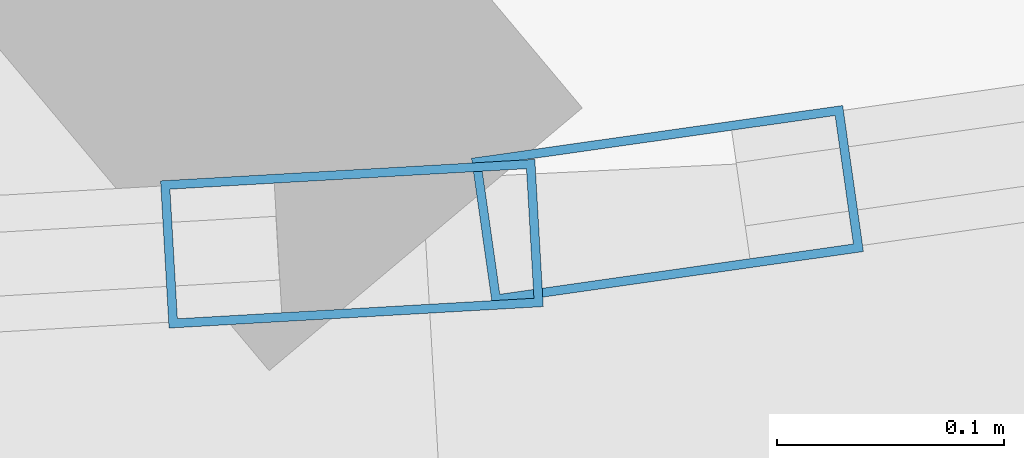
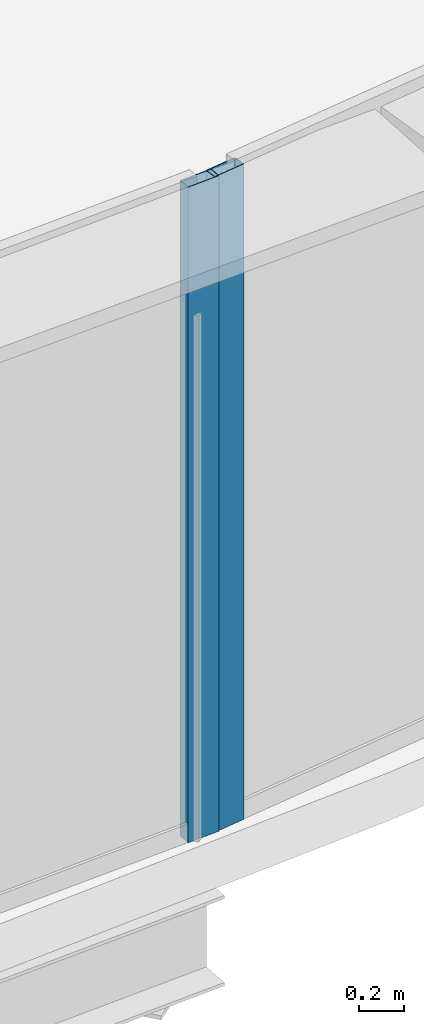
# One storey, part 12 of 39: 2 members, 2 elements without a shape of their own.
"""IFC4 building model written with IfcOpenShell, lengths in metres."""

from ifc_helpers import new_model, si_unit, direction, frame, origin, origin_2d, place, context, subcontext, project, spatial, hollow_rectangle, extrude, source, transform, mapped, material, layer, layer_set, material_profile, profile_set, type_object, element, aggregate, save


model = new_model("IFC4")

# Units and contexts
model_context = context("Model", 3, precision=1e-05, world=origin(), true_north=direction((0.0, 1.0)))
body_context = subcontext(model_context, "Body", "Model", "MODEL_VIEW")
ifc_project = project(units=[si_unit("LENGTHUNIT", "METRE"), si_unit("AREAUNIT", "SQUARE_METRE"), si_unit("VOLUMEUNIT", "CUBIC_METRE"), si_unit("PLANEANGLEUNIT", "RADIAN"), si_unit("MASSUNIT", "GRAM", prefix="KILO"), si_unit("THERMODYNAMICTEMPERATUREUNIT", "KELVIN"), si_unit("POWERUNIT", "WATT")], contexts=[model_context])

# Site, building, storey
site_placement = place(None, origin())
site = spatial("IfcSite", under=ifc_project, at=site_placement, CompositionType="ELEMENT")
building_placement = place(site_placement, origin())
building = spatial("IfcBuilding", under=site, at=building_placement, Name="Yunzhuo Pagoda Commons", CompositionType="ELEMENT")
storey_placement = place(building_placement, frame((0.0, 0.0, 100.179931640625)))
storey = spatial("IfcBuildingStorey", under=building, at=storey_placement, Name="L25", CompositionType="ELEMENT", Elevation=100.179931640625)

# Curtain wall, member
ifc_material = material(Name="Anodized aluminium 6063-T6", Category="aluminium")
ifc_layer = layer(ifc_material, 0.1650390625)
ifc_layer_set = layer_set([ifc_layer], Name="Anodized aluminium 6063-T6")
curtain_wall_type = type_object("IfcCurtainWallType", Name="CW-LOW Low-Zone Ribbon Curtain Wall", PredefinedType="NOTDEFINED", material=ifc_layer_set)
curtain_wall_1_placement = place(storey_placement, origin())
curtain_wall_1 = element("IfcCurtainWall", 1, at=curtain_wall_1_placement, inside=storey, type_object=curtain_wall_type, Name="L25 curtain wall CW-L25-F1B4", PredefinedType="NOTDEFINED")
ifc_material_profile = material_profile(ifc_material, hollow_rectangle(XDim=0.06494140625, YDim=0.1650390625, WallThickness=0.00390625, at=origin_2d()), Name="Anodized aluminium 6063-T6")
ifc_profile_set = profile_set([ifc_material_profile], Name="Anodized aluminium 6063-T6")
member_type = type_object("IfcMemberType", Name="CW-LOW-M Mullion RHS 165x65x4", PredefinedType="MULLION", material=ifc_profile_set)
shared_shape = source(origin(), body_context, "Body", "SweptSolid", [
    extrude(hollow_rectangle(XDim=0.06494140625, YDim=0.1650390625, WallThickness=0.00390625, at=origin_2d()), origin(), (0.0, 0.0, 1.0), 3.5400390625),
])
member_1_placement = place(storey_placement, frame((65.717041015625, 12.545166015625, 0.0), z_axis=(0.0, 0.0, 1.0), x_axis=(-0.057299493103, 0.998357034377, 0.0)))
member_1 = element("IfcMember", 2, at=member_1_placement, type_object=member_type, Name="CW mullion 2", PredefinedType="MULLION", context=body_context, shape_type="MappedRepresentation", body=[
    mapped(shared_shape, transform((0.0, 0.0, 0.0), scale=1.0)),
])
aggregate(curtain_wall_1, [member_1])

curtain_wall_2_placement = place(storey_placement, origin())
curtain_wall_2 = element("IfcCurtainWall", 3, at=curtain_wall_2_placement, inside=storey, type_object=curtain_wall_type, Name="L25 curtain wall CW-L25-F1B5", PredefinedType="NOTDEFINED")
member_2_placement = place(storey_placement, frame((65.85595703125, 12.562255859375, 0.0), z_axis=(0.0, 0.0, 1.0), x_axis=(-0.140773671614, 0.990041803855, 0.0)))
member_2 = element("IfcMember", 4, at=member_2_placement, type_object=member_type, Name="CW mullion 1", PredefinedType="MULLION", context=body_context, shape_type="MappedRepresentation", body=[
    mapped(shared_shape, transform((0.0, 0.0, 0.0), scale=1.0)),
])
aggregate(curtain_wall_2, [member_2])

save(model, "model.ifc")
